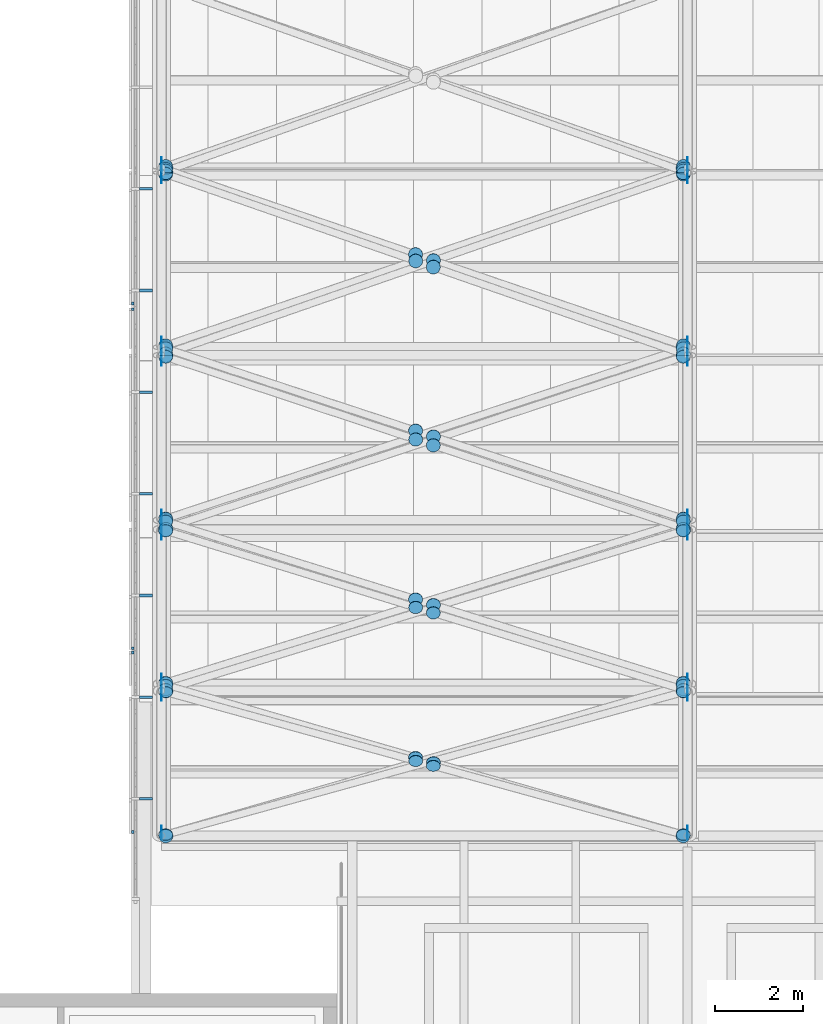
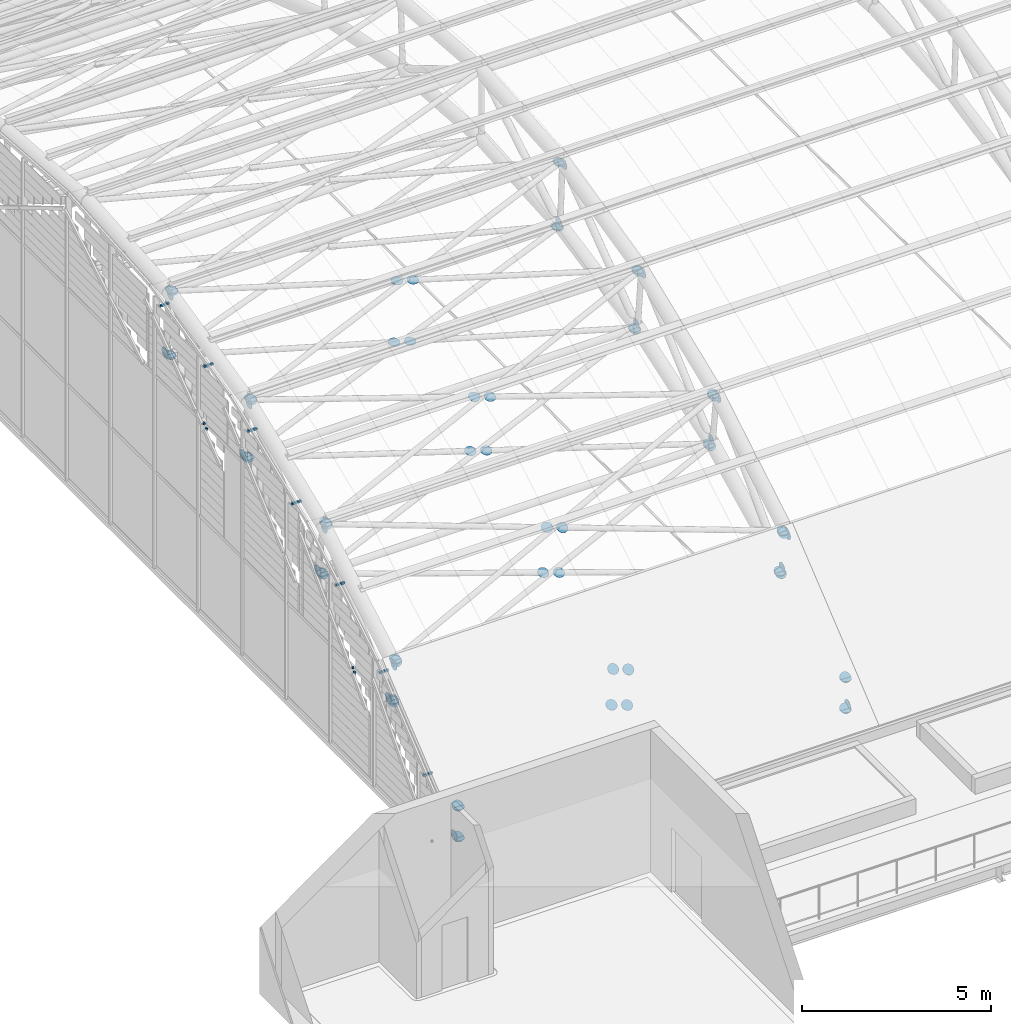
# One storey, part 85 of 110: 102 discrete accessories, 1 element without a shape of its own.
"""IFC4 building model written with IfcOpenShell, lengths in metres."""

from ifc_helpers import new_model, si_unit, direction, frame, origin, origin_2d, place, context, subcontext, project, spatial, rectangle, circle, extrude, material, layer, layer_set, type_object, element, aggregate, save


model = new_model("IFC4")

# Units and contexts
model_context = context("Model", 3, precision=1e-05, world=origin(), true_north=direction((0.0, 1.0)))
body_context = subcontext(model_context, "Body", "Model", "MODEL_VIEW")
ifc_project = project(units=[si_unit("LENGTHUNIT", "METRE"), si_unit("AREAUNIT", "SQUARE_METRE"), si_unit("VOLUMEUNIT", "CUBIC_METRE"), si_unit("PLANEANGLEUNIT", "RADIAN"), si_unit("MASSUNIT", "GRAM", prefix="KILO")], contexts=[model_context])

# Site, building, storey
site_placement = place(None, origin())
site = spatial("IfcSite", under=ifc_project, at=site_placement, CompositionType="ELEMENT")
building_placement = place(site_placement, origin())
building = spatial("IfcBuilding", under=site, at=building_placement, Name="Windward Yard Aquatics Centre", CompositionType="ELEMENT")
storey_placement = place(building_placement, frame((0.0, 0.0, 22.60009765625)))
storey = spatial("IfcBuildingStorey", under=building, at=storey_placement, Name="L05", CompositionType="ELEMENT", Elevation=22.60009765625)

# Discrete accessories
ifc_material_1 = material(Name="Steel S355", Category="steel")
ifc_layer_1 = layer(ifc_material_1, 0.011962890625)
ifc_layer_set_1 = layer_set([ifc_layer_1], Name="Gusset plate 320 mm disc 12 mm")
discrete_accessory_type = type_object("IfcDiscreteAccessoryType", Name="Gusset plate 320 mm disc 12 mm", PredefinedType="USERDEFINED", material=ifc_layer_set_1)
for number, where, z_axis, x_axis, name in (
    (1, (59.993896484375, 41.66650390625, 0.07470703125), (1.0, 0.0, 0.0), (0.0, 1.0, 0.0), "Gusset plate"),
    (2, (59.993896484375, 44.841064453125, 3.64306640625), (1.0, 0.0, 0.0), (0.0, 1.0, 0.0), "Gusset plate"),
    (3, (59.993896484375, 45.134765625, 2.390869140625), (1.0, 0.0, 0.0), (0.0, 1.0, 0.0), "Gusset plate"),
    (4, (59.993896484375, 48.520263671875, 5.8291015625), (1.0, 0.0, 0.0), (0.0, 1.0, 0.0), "Gusset plate"),
    (5, (59.993896484375, 48.877685546875, 4.23291015625), (1.0, 0.0, 0.0), (0.0, 1.0, 0.0), "Gusset plate"),
    (6, (59.993896484375, 52.48779296875, 7.4306640625), (1.0, 0.0, 0.0), (0.0, 1.0, 0.0), "Gusset plate"),
    (7, (59.993896484375, 52.83056640625, 5.568603515625), (1.0, 0.0, 0.0), (0.0, 1.0, 0.0), "Gusset plate"),
    (8, (59.993896484375, 56.6513671875, 8.41015625), (1.0, 0.0, 0.0), (0.0, 1.0, 0.0), "Gusset plate"),
    (9, (59.993896484375, 56.92529296875, 6.374755859375), (1.0, 0.0, 0.0), (0.0, 1.0, 0.0), "Gusset plate"),
    (10, (71.993896484375, 41.66650390625, 0.07470703125), (1.0, 0.0, 0.0), (0.0, 1.0, 0.0), "Gusset plate"),
    (11, (71.993896484375, 44.841064453125, 3.64306640625), (1.0, 0.0, 0.0), (0.0, 1.0, 0.0), "Gusset plate"),
    (12, (71.993896484375, 45.134765625, 2.390869140625), (1.0, 0.0, 0.0), (0.0, 1.0, 0.0), "Gusset plate"),
    (13, (71.993896484375, 48.520263671875, 5.8291015625), (1.0, 0.0, 0.0), (0.0, 1.0, 0.0), "Gusset plate"),
    (14, (71.993896484375, 48.877685546875, 4.23291015625), (1.0, 0.0, 0.0), (0.0, 1.0, 0.0), "Gusset plate"),
    (15, (71.993896484375, 52.48779296875, 7.4306640625), (1.0, 0.0, 0.0), (0.0, 1.0, 0.0), "Gusset plate"),
    (16, (71.993896484375, 52.83056640625, 5.568603515625), (1.0, 0.0, 0.0), (0.0, 1.0, 0.0), "Gusset plate"),
    (17, (71.993896484375, 56.6513671875, 8.41015625), (1.0, 0.0, 0.0), (0.0, 1.0, 0.0), "Gusset plate"),
    (18, (71.993896484375, 56.92529296875, 6.374755859375), (1.0, 0.0, 0.0), (0.0, 1.0, 0.0), "Gusset plate"),
):
    element("IfcDiscreteAccessory", number, at=place(storey_placement, frame(where, z_axis=z_axis, x_axis=x_axis)), inside=storey, type_object=discrete_accessory_type, Name=name, ObjectType="GUSSET PLATE", PredefinedType="USERDEFINED", context=body_context, shape_type="SweptSolid", body=[
        extrude(circle(Radius=0.159912109375, at=origin_2d()), origin(), (0.0, 0.0, 1.0), 0.01220703125),
    ])
for number, where, z_axis, x_axis, name in (
    (19, (60.10009765625, 41.60009765625, 0.993896484375), (0.0, 0.0, 1.0), (1.0, 0.0, 0.0), "Gusset plate"),
    (20, (71.89990234375, 41.60009765625, 0.993896484375), (0.0, 0.0, 1.0), (1.0, 0.0, 0.0), "Gusset plate"),
    (21, (60.10009765625, 44.907470703125, 3.7119140625), (0.0, 0.0, 1.0), (1.0, 0.0, 0.0), "Gusset plate"),
    (22, (71.89990234375, 44.907470703125, 3.7119140625), (0.0, 0.0, 1.0), (1.0, 0.0, 0.0), "Gusset plate"),
    (23, (60.10009765625, 48.59033203125, 5.89453125), (0.0, 0.0, 1.0), (1.0, 0.0, 0.0), "Gusset plate"),
    (24, (71.89990234375, 48.59033203125, 5.89453125), (0.0, 0.0, 1.0), (1.0, 0.0, 0.0), "Gusset plate"),
):
    element("IfcDiscreteAccessory", number, at=place(storey_placement, frame(where, z_axis=z_axis, x_axis=x_axis)), inside=storey, type_object=discrete_accessory_type, Name=name, ObjectType="GUSSET PLATE", PredefinedType="USERDEFINED", context=body_context, shape_type="SweptSolid", body=[
        extrude(circle(Radius=0.159912109375, at=origin_2d()), origin(), (0.0, 0.0, 1.0), 0.011962890625),
    ])
for number, where, z_axis, x_axis, name in (
    (25, (60.10009765625, 52.5625, 7.49072265625), (0.0, 0.0, 1.0), (1.0, 0.0, 0.0), "Gusset plate"),
    (26, (71.89990234375, 52.5625, 7.49072265625), (0.0, 0.0, 1.0), (1.0, 0.0, 0.0), "Gusset plate"),
):
    element("IfcDiscreteAccessory", number, at=place(storey_placement, frame(where, z_axis=z_axis, x_axis=x_axis)), inside=storey, type_object=discrete_accessory_type, Name=name, ObjectType="GUSSET PLATE", PredefinedType="USERDEFINED", context=body_context, shape_type="SweptSolid", body=[
        extrude(circle(Radius=0.159912109375, at=origin_2d()), origin(), (0.0, 0.0, 1.0), 0.01220703125),
    ])
for number, where, z_axis, x_axis, name in (
    (27, (60.10009765625, 56.7314453125, 8.4638671875), (0.0, 0.0, 1.0), (1.0, 0.0, 0.0), "Gusset plate"),
    (28, (71.89990234375, 56.7314453125, 8.4638671875), (0.0, 0.0, 1.0), (1.0, 0.0, 0.0), "Gusset plate"),
):
    element("IfcDiscreteAccessory", number, at=place(storey_placement, frame(where, z_axis=z_axis, x_axis=x_axis)), inside=storey, type_object=discrete_accessory_type, Name=name, ObjectType="GUSSET PLATE", PredefinedType="USERDEFINED", context=body_context, shape_type="SweptSolid", body=[
        extrude(circle(Radius=0.159912109375, at=origin_2d()), origin(), (0.0, 0.0, 1.0), 0.011962890625),
    ])
for number, where, z_axis, x_axis, name in (
    (29, (60.09423828125, 41.6220703125, 1.02587890625), (0.0, 0.644135745783, -0.764911198117), (-1.0, 0.0, 0.0), "Gusset plate"),
    (30, (71.90576171875, 44.877685546875, 3.701171875), (0.0, 0.644135745783, -0.764911198117), (-1.0, 0.0, 0.0), "Gusset plate"),
    (31, (60.09423828125, 44.877685546875, 3.701171875), (0.0, 0.644135745783, -0.764911198117), (-1.0, 0.0, 0.0), "Gusset plate"),
):
    element("IfcDiscreteAccessory", number, at=place(storey_placement, frame(where, z_axis=z_axis, x_axis=x_axis)), inside=storey, type_object=discrete_accessory_type, Name=name, ObjectType="GUSSET PLATE", PredefinedType="USERDEFINED", context=body_context, shape_type="SweptSolid", body=[
        extrude(circle(Radius=0.159912109375, at=origin_2d()), origin(), (0.0, 0.0, 1.0), 0.01220703125),
    ])
discrete_accessory_1_placement = place(storey_placement, frame((65.79931640625, 43.30517578125, 2.408935546875), z_axis=(0.0, 0.632126727472, -0.774865020772), x_axis=(-1.0, 0.0, 0.0)))
element("IfcDiscreteAccessory", 32, at=discrete_accessory_1_placement, inside=storey, type_object=discrete_accessory_type, Name="Gusset plate", ObjectType="GUSSET PLATE", PredefinedType="USERDEFINED", context=body_context, shape_type="SweptSolid", body=[
    extrude(circle(Radius=0.159912109375, at=origin_2d()), origin(), (0.0, 0.0, 1.0), 0.011962890625),
])
for number, where, z_axis, x_axis, name in (
    (33, (66.20068359375, 43.194580078125, 2.318115234375), (0.0, 0.644135745783, -0.764911198117), (-1.0, 0.0, 0.0), "Gusset plate"),
    (34, (71.90576171875, 41.6220703125, 1.02587890625), (0.0, 0.644135745783, -0.764911198117), (-1.0, 0.0, 0.0), "Gusset plate"),
    (35, (60.09423828125, 44.933349609375, 3.740234375), (0.0, 0.502620457375, -0.864507186684), (-1.0, 0.0, 0.0), "Gusset plate"),
):
    element("IfcDiscreteAccessory", number, at=place(storey_placement, frame(where, z_axis=z_axis, x_axis=x_axis)), inside=storey, type_object=discrete_accessory_type, Name=name, ObjectType="GUSSET PLATE", PredefinedType="USERDEFINED", context=body_context, shape_type="SweptSolid", body=[
        extrude(circle(Radius=0.159912109375, at=origin_2d()), origin(), (0.0, 0.0, 1.0), 0.01220703125),
    ])
for number, where, z_axis, x_axis, name in (
    (36, (71.90576171875, 48.558349609375, 5.888427734375), (0.0, 0.511483859768, -0.85929288441), (-1.0, 0.0, 0.0), "Gusset plate"),
    (37, (60.09423828125, 48.558349609375, 5.888427734375), (0.0, 0.511483859768, -0.85929288441), (-1.0, 0.0, 0.0), "Gusset plate"),
):
    element("IfcDiscreteAccessory", number, at=place(storey_placement, frame(where, z_axis=z_axis, x_axis=x_axis)), inside=storey, type_object=discrete_accessory_type, Name=name, ObjectType="GUSSET PLATE", PredefinedType="USERDEFINED", context=body_context, shape_type="SweptSolid", body=[
        extrude(circle(Radius=0.159912109375, at=origin_2d()), origin(), (0.0, 0.0, 1.0), 0.011962890625),
    ])
discrete_accessory_2_placement = place(storey_placement, frame((65.79931640625, 46.807373046875, 4.850830078125), z_axis=(0.0, 0.502620457375, -0.864507186684), x_axis=(-1.0, 0.0, 0.0)))
element("IfcDiscreteAccessory", 38, at=discrete_accessory_2_placement, inside=storey, type_object=discrete_accessory_type, Name="Gusset plate", ObjectType="GUSSET PLATE", PredefinedType="USERDEFINED", context=body_context, shape_type="SweptSolid", body=[
    extrude(circle(Radius=0.159912109375, at=origin_2d()), origin(), (0.0, 0.0, 1.0), 0.01220703125),
])
discrete_accessory_3_placement = place(storey_placement, frame((66.20068359375, 46.684326171875, 4.77783203125), z_axis=(0.0, 0.511483859768, -0.85929288441), x_axis=(-1.0, 0.0, 0.0)))
element("IfcDiscreteAccessory", 39, at=discrete_accessory_3_placement, inside=storey, type_object=discrete_accessory_type, Name="Gusset plate", ObjectType="GUSSET PLATE", PredefinedType="USERDEFINED", context=body_context, shape_type="SweptSolid", body=[
    extrude(circle(Radius=0.159912109375, at=origin_2d()), origin(), (0.0, 0.0, 1.0), 0.011962890625),
])
discrete_accessory_4_placement = place(storey_placement, frame((71.90576171875, 44.933349609375, 3.740234375), z_axis=(0.0, 0.502620457375, -0.864507186684), x_axis=(-1.0, 0.0, 0.0)))
element("IfcDiscreteAccessory", 40, at=discrete_accessory_4_placement, inside=storey, type_object=discrete_accessory_type, Name="Gusset plate", ObjectType="GUSSET PLATE", PredefinedType="USERDEFINED", context=body_context, shape_type="SweptSolid", body=[
    extrude(circle(Radius=0.159912109375, at=origin_2d()), origin(), (0.0, 0.0, 1.0), 0.01220703125),
])
discrete_accessory_5_placement = place(storey_placement, frame((60.09423828125, 48.619384765625, 5.91845703125), z_axis=(0.0, 0.371390676354, -0.928476690885), x_axis=(-1.0, 0.0, 0.0)))
element("IfcDiscreteAccessory", 41, at=discrete_accessory_5_placement, inside=storey, type_object=discrete_accessory_type, Name="Gusset plate", ObjectType="GUSSET PLATE", PredefinedType="USERDEFINED", context=body_context, shape_type="SweptSolid", body=[
    extrude(circle(Radius=0.159912109375, at=origin_2d()), origin(), (0.0, 0.0, 1.0), 0.01171875),
])
for number, where, z_axis, x_axis, name in (
    (42, (71.90576171875, 52.529052734375, 7.489990234375), (0.0, 0.38176015442, -0.92426142649), (-1.0, 0.0, 0.0), "Gusset plate"),
    (43, (60.09423828125, 52.529052734375, 7.489990234375), (0.0, 0.38176015442, -0.92426142649), (-1.0, 0.0, 0.0), "Gusset plate"),
):
    element("IfcDiscreteAccessory", number, at=place(storey_placement, frame(where, z_axis=z_axis, x_axis=x_axis)), inside=storey, type_object=discrete_accessory_type, Name=name, ObjectType="GUSSET PLATE", PredefinedType="USERDEFINED", context=body_context, shape_type="SweptSolid", body=[
        extrude(circle(Radius=0.159912109375, at=origin_2d()), origin(), (0.0, 0.0, 1.0), 0.01220703125),
    ])
discrete_accessory_6_placement = place(storey_placement, frame((65.79931640625, 50.640625, 6.73095703125), z_axis=(0.0, 0.364399348581, -0.931242779706), x_axis=(-1.0, 0.0, 0.0)))
element("IfcDiscreteAccessory", 44, at=discrete_accessory_6_placement, inside=storey, type_object=discrete_accessory_type, Name="Gusset plate", ObjectType="GUSSET PLATE", PredefinedType="USERDEFINED", context=body_context, shape_type="SweptSolid", body=[
    extrude(circle(Radius=0.159912109375, at=origin_2d()), origin(), (0.0, 0.0, 1.0), 0.011962890625),
])
for number, where, z_axis, x_axis, name in (
    (45, (66.20068359375, 50.5078125, 6.677490234375), (0.0, 0.371390676354, -0.928476690885), (-1.0, 0.0, 0.0), "Gusset plate"),
    (46, (71.90576171875, 48.619384765625, 5.91845703125), (0.0, 0.371390676354, -0.928476690885), (-1.0, 0.0, 0.0), "Gusset plate"),
):
    element("IfcDiscreteAccessory", number, at=place(storey_placement, frame(where, z_axis=z_axis, x_axis=x_axis)), inside=storey, type_object=discrete_accessory_type, Name=name, ObjectType="GUSSET PLATE", PredefinedType="USERDEFINED", context=body_context, shape_type="SweptSolid", body=[
        extrude(circle(Radius=0.159912109375, at=origin_2d()), origin(), (0.0, 0.0, 1.0), 0.01171875),
    ])
for number, where, z_axis, x_axis, name in (
    (47, (60.09423828125, 52.593994140625, 7.51025390625), (0.0, 0.223376156329, -0.974732318528), (-1.0, 0.0, 0.0), "Gusset plate"),
    (48, (71.90576171875, 56.697509765625, 8.468017578125), (0.0, 0.223376156329, -0.974732318528), (-1.0, 0.0, 0.0), "Gusset plate"),
    (49, (60.09423828125, 56.697509765625, 8.468017578125), (0.0, 0.223376156329, -0.974732318528), (-1.0, 0.0, 0.0), "Gusset plate"),
    (50, (65.79931640625, 54.71533203125, 8.00537109375), (0.0, 0.223376156329, -0.974732318528), (-1.0, 0.0, 0.0), "Gusset plate"),
    (51, (66.20068359375, 54.575927734375, 7.972900390625), (0.0, 0.223376156329, -0.974732318528), (-1.0, 0.0, 0.0), "Gusset plate"),
    (52, (71.90576171875, 52.593994140625, 7.51025390625), (0.0, 0.223376156329, -0.974732318528), (-1.0, 0.0, 0.0), "Gusset plate"),
    (53, (60.09423828125, 56.7646484375, 8.478271484375), (0.0, 0.06111006328, -0.998131033565), (-1.0, 0.0, 0.0), "Gusset plate"),
    (54, (71.90576171875, 56.7646484375, 8.478271484375), (0.0, 0.06111006328, -0.998131033565), (-1.0, 0.0, 0.0), "Gusset plate"),
    (55, (60.10009765625, 41.60009765625, -0.006103515625), (0.0, 0.0, 1.0), (1.0, 0.0, 0.0), "Gusset plate"),
    (56, (71.89990234375, 41.60009765625, -0.006103515625), (0.0, 0.0, 1.0), (1.0, 0.0, 0.0), "Gusset plate"),
    (57, (60.10009765625, 45.064697265625, 2.313720703125), (0.0, 0.0, 1.0), (1.0, 0.0, 0.0), "Gusset plate"),
    (58, (71.89990234375, 45.064697265625, 2.313720703125), (0.0, 0.0, 1.0), (1.0, 0.0, 0.0), "Gusset plate"),
):
    element("IfcDiscreteAccessory", number, at=place(storey_placement, frame(where, z_axis=z_axis, x_axis=x_axis)), inside=storey, type_object=discrete_accessory_type, Name=name, ObjectType="GUSSET PLATE", PredefinedType="USERDEFINED", context=body_context, shape_type="SweptSolid", body=[
        extrude(circle(Radius=0.159912109375, at=origin_2d()), origin(), (0.0, 0.0, 1.0), 0.011962890625),
    ])
for number, where, z_axis, x_axis, name in (
    (59, (60.10009765625, 48.802734375, 4.160400390625), (0.0, 0.0, 1.0), (1.0, 0.0, 0.0), "Gusset plate"),
    (60, (71.89990234375, 48.802734375, 4.160400390625), (0.0, 0.0, 1.0), (1.0, 0.0, 0.0), "Gusset plate"),
):
    element("IfcDiscreteAccessory", number, at=place(storey_placement, frame(where, z_axis=z_axis, x_axis=x_axis)), inside=storey, type_object=discrete_accessory_type, Name=name, ObjectType="GUSSET PLATE", PredefinedType="USERDEFINED", context=body_context, shape_type="SweptSolid", body=[
        extrude(circle(Radius=0.159912109375, at=origin_2d()), origin(), (0.0, 0.0, 1.0), 0.01220703125),
    ])
for number, where, z_axis, x_axis, name in (
    (61, (60.10009765625, 52.750244140625, 5.5029296875), (0.0, 0.0, 1.0), (1.0, 0.0, 0.0), "Gusset plate"),
    (62, (71.89990234375, 52.750244140625, 5.5029296875), (0.0, 0.0, 1.0), (1.0, 0.0, 0.0), "Gusset plate"),
    (63, (60.10009765625, 56.83935546875, 6.317626953125), (0.0, 0.0, 1.0), (1.0, 0.0, 0.0), "Gusset plate"),
    (64, (71.89990234375, 56.83935546875, 6.317626953125), (0.0, 0.0, 1.0), (1.0, 0.0, 0.0), "Gusset plate"),
    (65, (60.094482421875, 41.6240234375, 0.023193359375), (0.0, 0.549990569516, -0.83517086482), (-1.0, 0.0, 0.0), "Gusset plate"),
):
    element("IfcDiscreteAccessory", number, at=place(storey_placement, frame(where, z_axis=z_axis, x_axis=x_axis)), inside=storey, type_object=discrete_accessory_type, Name=name, ObjectType="GUSSET PLATE", PredefinedType="USERDEFINED", context=body_context, shape_type="SweptSolid", body=[
        extrude(circle(Radius=0.159912109375, at=origin_2d()), origin(), (0.0, 0.0, 1.0), 0.011962890625),
    ])
for number, where, z_axis, x_axis, name in (
    (66, (71.905517578125, 45.033935546875, 2.306396484375), (0.0, 0.563961646158, -0.825800981874), (-1.0, 0.0, 0.0), "Gusset plate"),
    (67, (60.094482421875, 45.033935546875, 2.306396484375), (0.0, 0.563961646158, -0.825800981874), (-1.0, 0.0, 0.0), "Gusset plate"),
    (68, (65.796142578125, 43.3876953125, 1.2041015625), (0.0, 0.563961646158, -0.825800981874), (-1.0, 0.0, 0.0), "Gusset plate"),
):
    element("IfcDiscreteAccessory", number, at=place(storey_placement, frame(where, z_axis=z_axis, x_axis=x_axis)), inside=storey, type_object=discrete_accessory_type, Name=name, ObjectType="GUSSET PLATE", PredefinedType="USERDEFINED", context=body_context, shape_type="SweptSolid", body=[
        extrude(circle(Radius=0.159912109375, at=origin_2d()), origin(), (0.0, 0.0, 1.0), 0.01220703125),
    ])
for number, where, z_axis, x_axis, name in (
    (69, (66.203857421875, 43.27001953125, 1.125244140625), (0.0, 0.573462344363, -0.819231920519), (-1.0, 0.0, 0.0), "Gusset plate"),
    (70, (71.905517578125, 41.6240234375, 0.023193359375), (0.0, 0.549990569516, -0.83517086482), (-1.0, 0.0, 0.0), "Gusset plate"),
    (71, (60.094482421875, 45.09130859375, 2.339599609375), (0.0, 0.4472135955, -0.894427191), (-1.0, 0.0, 0.0), "Gusset plate"),
):
    element("IfcDiscreteAccessory", number, at=place(storey_placement, frame(where, z_axis=z_axis, x_axis=x_axis)), inside=storey, type_object=discrete_accessory_type, Name=name, ObjectType="GUSSET PLATE", PredefinedType="USERDEFINED", context=body_context, shape_type="SweptSolid", body=[
        extrude(circle(Radius=0.159912109375, at=origin_2d()), origin(), (0.0, 0.0, 1.0), 0.011962890625),
    ])
for number, where, z_axis, x_axis, name in (
    (72, (71.905517578125, 48.770751953125, 4.157470703125), (0.0, 0.439210132005, -0.898384360919), (-1.0, 0.0, 0.0), "Gusset plate"),
    (73, (60.094482421875, 48.770751953125, 4.157470703125), (0.0, 0.439210132005, -0.898384360919), (-1.0, 0.0, 0.0), "Gusset plate"),
):
    element("IfcDiscreteAccessory", number, at=place(storey_placement, frame(where, z_axis=z_axis, x_axis=x_axis)), inside=storey, type_object=discrete_accessory_type, Name=name, ObjectType="GUSSET PLATE", PredefinedType="USERDEFINED", context=body_context, shape_type="SweptSolid", body=[
        extrude(circle(Radius=0.159912109375, at=origin_2d()), origin(), (0.0, 0.0, 1.0), 0.01220703125),
    ])
for number, where, z_axis, x_axis, name in (
    (74, (65.796142578125, 46.99462890625, 3.27978515625), (0.0, 0.430729586215, -0.902481037784), (-1.0, 0.0, 0.0), "Gusset plate"),
    (75, (66.203857421875, 46.86767578125, 3.217041015625), (0.0, 0.430729586215, -0.902481037784), (-1.0, 0.0, 0.0), "Gusset plate"),
    (76, (71.905517578125, 45.09130859375, 2.339599609375), (0.0, 0.4472135955, -0.894427191), (-1.0, 0.0, 0.0), "Gusset plate"),
    (77, (60.094482421875, 48.83203125, 4.182861328125), (0.0, 0.304040173793, -0.952659211219), (-1.0, 0.0, 0.0), "Gusset plate"),
    (78, (71.905517578125, 52.71728515625, 5.50390625), (0.0, 0.328520624941, -0.944496796706), (-1.0, 0.0, 0.0), "Gusset plate"),
    (79, (60.094482421875, 52.71728515625, 5.50390625), (0.0, 0.328520624941, -0.944496796706), (-1.0, 0.0, 0.0), "Gusset plate"),
):
    element("IfcDiscreteAccessory", number, at=place(storey_placement, frame(where, z_axis=z_axis, x_axis=x_axis)), inside=storey, type_object=discrete_accessory_type, Name=name, ObjectType="GUSSET PLATE", PredefinedType="USERDEFINED", context=body_context, shape_type="SweptSolid", body=[
        extrude(circle(Radius=0.159912109375, at=origin_2d()), origin(), (0.0, 0.0, 1.0), 0.011962890625),
    ])
discrete_accessory_7_placement = place(storey_placement, frame((65.796142578125, 50.841552734375, 4.8662109375), z_axis=(0.0, 0.322263797804, -0.94664990605), x_axis=(-1.0, 0.0, 0.0)))
element("IfcDiscreteAccessory", 80, at=discrete_accessory_7_placement, inside=storey, type_object=discrete_accessory_type, Name="Gusset plate", ObjectType="GUSSET PLATE", PredefinedType="USERDEFINED", context=body_context, shape_type="SweptSolid", body=[
    extrude(circle(Radius=0.159912109375, at=origin_2d()), origin(), (0.0, 0.0, 1.0), 0.01220703125),
])
for number, where, z_axis, x_axis, name in (
    (81, (66.203857421875, 50.70751953125, 4.820556640625), (0.0, 0.328520624941, -0.944496796706), (-1.0, 0.0, 0.0), "Gusset plate"),
    (82, (71.905517578125, 48.83203125, 4.182861328125), (0.0, 0.304040173793, -0.952659211219), (-1.0, 0.0, 0.0), "Gusset plate"),
):
    element("IfcDiscreteAccessory", number, at=place(storey_placement, frame(where, z_axis=z_axis, x_axis=x_axis)), inside=storey, type_object=discrete_accessory_type, Name=name, ObjectType="GUSSET PLATE", PredefinedType="USERDEFINED", context=body_context, shape_type="SweptSolid", body=[
        extrude(circle(Radius=0.159912109375, at=origin_2d()), origin(), (0.0, 0.0, 1.0), 0.011962890625),
    ])
discrete_accessory_8_placement = place(storey_placement, frame((60.094482421875, 52.78125, 5.521240234375), z_axis=(0.0, 0.199960011996, -0.97980405878), x_axis=(-1.0, 0.0, 0.0)))
element("IfcDiscreteAccessory", 83, at=discrete_accessory_8_placement, inside=storey, type_object=discrete_accessory_type, Name="Gusset plate", ObjectType="GUSSET PLATE", PredefinedType="USERDEFINED", context=body_context, shape_type="SweptSolid", body=[
    extrude(circle(Radius=0.159912109375, at=origin_2d()), origin(), (0.0, 0.0, 1.0), 0.01220703125),
])
for number, where, z_axis, x_axis, name in (
    (84, (71.905517578125, 56.80615234375, 6.322998046875), (0.0, 0.18428853505, -0.982872186934), (-1.0, 0.0, 0.0), "Gusset plate"),
    (85, (60.094482421875, 56.80615234375, 6.322998046875), (0.0, 0.18428853505, -0.982872186934), (-1.0, 0.0, 0.0), "Gusset plate"),
):
    element("IfcDiscreteAccessory", number, at=place(storey_placement, frame(where, z_axis=z_axis, x_axis=x_axis)), inside=storey, type_object=discrete_accessory_type, Name=name, ObjectType="GUSSET PLATE", PredefinedType="USERDEFINED", context=body_context, shape_type="SweptSolid", body=[
        extrude(circle(Radius=0.159912109375, at=origin_2d()), origin(), (0.0, 0.0, 1.0), 0.011962890625),
    ])
discrete_accessory_9_placement = place(storey_placement, frame((65.796142578125, 54.863037109375, 5.93603515625), z_axis=(0.0, 0.199960011996, -0.97980405878), x_axis=(-1.0, 0.0, 0.0)))
element("IfcDiscreteAccessory", 86, at=discrete_accessory_9_placement, inside=storey, type_object=discrete_accessory_type, Name="Gusset plate", ObjectType="GUSSET PLATE", PredefinedType="USERDEFINED", context=body_context, shape_type="SweptSolid", body=[
    extrude(circle(Radius=0.159912109375, at=origin_2d()), origin(), (0.0, 0.0, 1.0), 0.01220703125),
])
discrete_accessory_10_placement = place(storey_placement, frame((66.203857421875, 54.724365234375, 5.908203125), z_axis=(0.0, 0.18428853505, -0.982872186934), x_axis=(-1.0, 0.0, 0.0)))
element("IfcDiscreteAccessory", 87, at=discrete_accessory_10_placement, inside=storey, type_object=discrete_accessory_type, Name="Gusset plate", ObjectType="GUSSET PLATE", PredefinedType="USERDEFINED", context=body_context, shape_type="SweptSolid", body=[
    extrude(circle(Radius=0.159912109375, at=origin_2d()), origin(), (0.0, 0.0, 1.0), 0.011962890625),
])
discrete_accessory_11_placement = place(storey_placement, frame((71.905517578125, 52.78125, 5.521240234375), z_axis=(0.0, 0.199960011996, -0.97980405878), x_axis=(-1.0, 0.0, 0.0)))
element("IfcDiscreteAccessory", 88, at=discrete_accessory_11_placement, inside=storey, type_object=discrete_accessory_type, Name="Gusset plate", ObjectType="GUSSET PLATE", PredefinedType="USERDEFINED", context=body_context, shape_type="SweptSolid", body=[
    extrude(circle(Radius=0.159912109375, at=origin_2d()), origin(), (0.0, 0.0, 1.0), 0.01220703125),
])
for number, where, z_axis, x_axis, name in (
    (89, (60.094482421875, 56.871826171875, 6.331787109375), (0.0, 0.06111006328, -0.998131033565), (-1.0, 0.0, 0.0), "Gusset plate"),
    (90, (71.905517578125, 56.871826171875, 6.331787109375), (0.0, 0.06111006328, -0.998131033565), (-1.0, 0.0, 0.0), "Gusset plate"),
):
    element("IfcDiscreteAccessory", number, at=place(storey_placement, frame(where, z_axis=z_axis, x_axis=x_axis)), inside=storey, type_object=discrete_accessory_type, Name=name, ObjectType="GUSSET PLATE", PredefinedType="USERDEFINED", context=body_context, shape_type="SweptSolid", body=[
        extrude(circle(Radius=0.159912109375, at=origin_2d()), origin(), (0.0, 0.0, 1.0), 0.011962890625),
    ])

# Curtain wall, discrete accessories
ifc_material_2 = material(Name="Glass and aluminium curtain wall", Category="aluminium")
ifc_layer_2 = layer(ifc_material_2, 0.179931640625)
ifc_layer_set_2 = layer_set([ifc_layer_2], Name="H gable glazing system double glazed 8+16+8")
curtain_wall_type = type_object("IfcCurtainWallType", Name="H gable glazing system double glazed 8+16+8", PredefinedType="NOTDEFINED", material=ifc_layer_set_2)
curtain_wall_placement = place(storey_placement, origin())
curtain_wall = element("IfcCurtainWall", 91, at=curtain_wall_placement, inside=storey, type_object=curtain_wall_type, Name="Gable glazing W", PredefinedType="NOTDEFINED")
discrete_accessory_12_placement = place(storey_placement, frame((59.37744140625, 41.68896484375, 0.099853515625), z_axis=(-1.0, 0.0, 0.0), x_axis=(0.0, -1.0, 0.0)))
discrete_accessory_12 = element("IfcDiscreteAccessory", 92, at=discrete_accessory_12_placement, Name="Gable cover strip bracket 1.1", PredefinedType="BRACKET", context=body_context, shape_type="SweptSolid", body=[
    extrude(rectangle(XDim=0.06005859375, YDim=0.06005859375, at=origin_2d()), origin(), (0.0, 0.0, 1.0), 0.057373046875),
])
discrete_accessory_13_placement = place(storey_placement, frame((59.37744140625, 45.78369140625, 3.0498046875), z_axis=(-1.0, 0.0, 0.0), x_axis=(0.0, -1.0, 0.0)))
discrete_accessory_13 = element("IfcDiscreteAccessory", 93, at=discrete_accessory_13_placement, Name="Gable cover strip bracket 2.1", PredefinedType="BRACKET", context=body_context, shape_type="SweptSolid", body=[
    extrude(rectangle(XDim=0.06005859375, YDim=0.06005859375, at=origin_2d()), origin(), (0.0, 0.0, 1.0), 0.057373046875),
])
discrete_accessory_14_placement = place(storey_placement, frame((59.37744140625, 45.882080078125, 3.14990234375), z_axis=(-1.0, 0.0, 0.0), x_axis=(0.0, -1.0, 0.0)))
discrete_accessory_14 = element("IfcDiscreteAccessory", 94, at=discrete_accessory_14_placement, Name="Gable cover strip bracket 2.2", PredefinedType="BRACKET", context=body_context, shape_type="SweptSolid", body=[
    extrude(rectangle(XDim=0.06005859375, YDim=0.06005859375, at=origin_2d()), origin(), (0.0, 0.0, 1.0), 0.057373046875),
])
discrete_accessory_15_placement = place(storey_placement, frame((59.37744140625, 53.6123046875, 6.14990234375), z_axis=(-1.0, 0.0, 0.0), x_axis=(0.0, -1.0, 0.0)))
discrete_accessory_15 = element("IfcDiscreteAccessory", 95, at=discrete_accessory_15_placement, Name="Gable cover strip bracket 4.1", PredefinedType="BRACKET", context=body_context, shape_type="SweptSolid", body=[
    extrude(rectangle(XDim=0.06005859375, YDim=0.06005859375, at=origin_2d()), origin(), (0.0, 0.0, 1.0), 0.057373046875),
])
discrete_accessory_16_placement = place(storey_placement, frame((59.37744140625, 53.74658203125, 6.25), z_axis=(-1.0, 0.0, 0.0), x_axis=(0.0, -1.0, 0.0)))
discrete_accessory_16 = element("IfcDiscreteAccessory", 96, at=discrete_accessory_16_placement, Name="Gable cover strip bracket 4.2", PredefinedType="BRACKET", context=body_context, shape_type="SweptSolid", body=[
    extrude(rectangle(XDim=0.06005859375, YDim=0.06005859375, at=origin_2d()), origin(), (0.0, 0.0, 1.0), 0.057373046875),
])
discrete_accessory_17_placement = place(storey_placement, frame((59.5, 42.446044921875, 1.695068359375), z_axis=(1.0, 0.0, 0.0), x_axis=(0.0, 1.0, 0.0)))
discrete_accessory_17 = element("IfcDiscreteAccessory", 97, at=discrete_accessory_17_placement, Name="Gable glazing bracket 2", PredefinedType="BRACKET", context=body_context, shape_type="SweptSolid", body=[
    extrude(rectangle(XDim=0.06005859375, YDim=0.06005859375, at=origin_2d()), origin(), (0.0, 0.0, 1.0), 0.296875),
])
discrete_accessory_18_placement = place(storey_placement, frame((59.5, 44.765380859375, 3.60107421875), z_axis=(1.0, 0.0, 0.0), x_axis=(0.0, 1.0, 0.0)))
discrete_accessory_18 = element("IfcDiscreteAccessory", 98, at=discrete_accessory_18_placement, Name="Gable glazing bracket 3", PredefinedType="BRACKET", context=body_context, shape_type="SweptSolid", body=[
    extrude(rectangle(XDim=0.06005859375, YDim=0.06005859375, at=origin_2d()), origin(), (0.0, 0.0, 1.0), 0.296875),
])
discrete_accessory_19_placement = place(storey_placement, frame((59.5, 47.08447265625, 5.008056640625), z_axis=(1.0, 0.0, 0.0), x_axis=(0.0, 1.0, 0.0)))
discrete_accessory_19 = element("IfcDiscreteAccessory", 99, at=discrete_accessory_19_placement, Name="Gable glazing bracket 4", PredefinedType="BRACKET", context=body_context, shape_type="SweptSolid", body=[
    extrude(rectangle(XDim=0.06005859375, YDim=0.06005859375, at=origin_2d()), origin(), (0.0, 0.0, 1.0), 0.296875),
])
discrete_accessory_20_placement = place(storey_placement, frame((59.5, 49.40380859375, 6.227294921875), z_axis=(1.0, 0.0, 0.0), x_axis=(0.0, 1.0, 0.0)))
discrete_accessory_20 = element("IfcDiscreteAccessory", 100, at=discrete_accessory_20_placement, Name="Gable glazing bracket 5", PredefinedType="BRACKET", context=body_context, shape_type="SweptSolid", body=[
    extrude(rectangle(XDim=0.06005859375, YDim=0.06005859375, at=origin_2d()), origin(), (0.0, 0.0, 1.0), 0.296875),
])
discrete_accessory_21_placement = place(storey_placement, frame((59.5, 51.72314453125, 7.159423828125), z_axis=(1.0, 0.0, 0.0), x_axis=(0.0, 1.0, 0.0)))
discrete_accessory_21 = element("IfcDiscreteAccessory", 101, at=discrete_accessory_21_placement, Name="Gable glazing bracket 6", PredefinedType="BRACKET", context=body_context, shape_type="SweptSolid", body=[
    extrude(rectangle(XDim=0.06005859375, YDim=0.06005859375, at=origin_2d()), origin(), (0.0, 0.0, 1.0), 0.296875),
])
discrete_accessory_22_placement = place(storey_placement, frame((59.5, 54.042236328125, 7.84228515625), z_axis=(1.0, 0.0, 0.0), x_axis=(0.0, 1.0, 0.0)))
discrete_accessory_22 = element("IfcDiscreteAccessory", 102, at=discrete_accessory_22_placement, Name="Gable glazing bracket 7", PredefinedType="BRACKET", context=body_context, shape_type="SweptSolid", body=[
    extrude(rectangle(XDim=0.06005859375, YDim=0.06005859375, at=origin_2d()), origin(), (0.0, 0.0, 1.0), 0.296875),
])
discrete_accessory_23_placement = place(storey_placement, frame((59.5, 56.361572265625, 8.383544921875), z_axis=(1.0, 0.0, 0.0), x_axis=(0.0, 1.0, 0.0)))
discrete_accessory_23 = element("IfcDiscreteAccessory", 103, at=discrete_accessory_23_placement, Name="Gable glazing bracket 8", PredefinedType="BRACKET", context=body_context, shape_type="SweptSolid", body=[
    extrude(rectangle(XDim=0.06005859375, YDim=0.06005859375, at=origin_2d()), origin(), (0.0, 0.0, 1.0), 0.296875),
])
aggregate(curtain_wall, [discrete_accessory_12, discrete_accessory_13, discrete_accessory_14, discrete_accessory_15, discrete_accessory_16, discrete_accessory_17, discrete_accessory_18, discrete_accessory_19, discrete_accessory_20, discrete_accessory_21, discrete_accessory_22, discrete_accessory_23])

save(model, "model.ifc")
